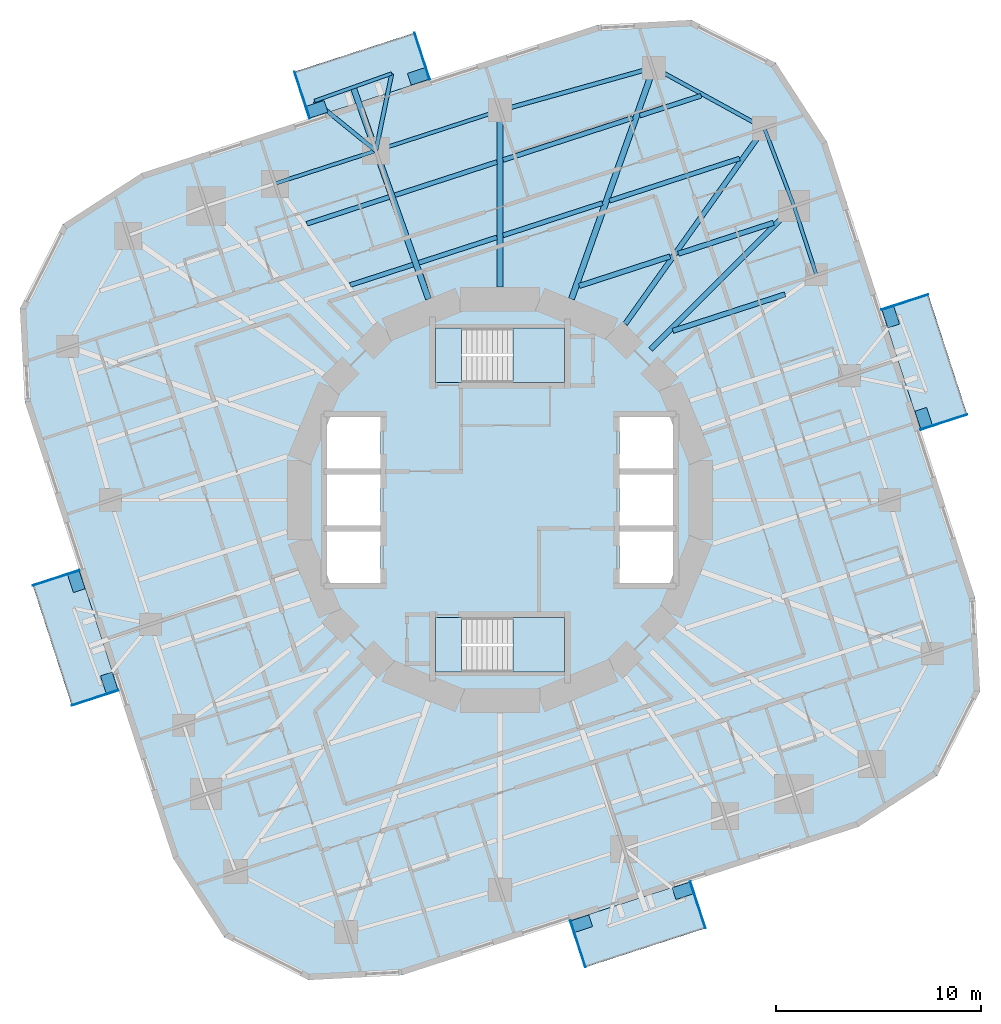
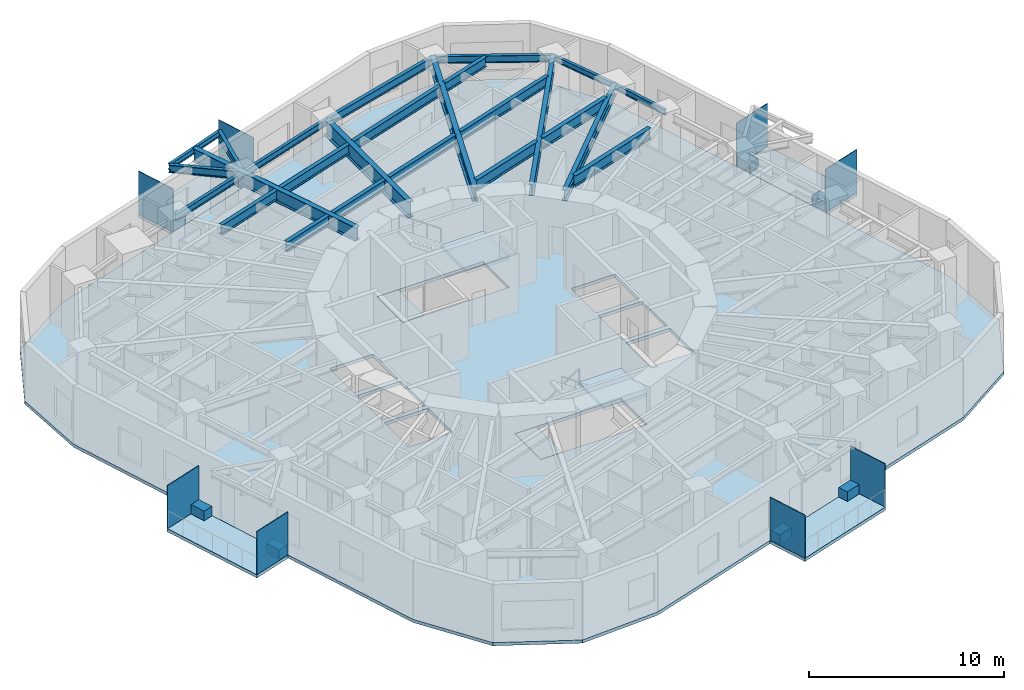
# One storey, part 3 of 12: 25 beams, 16 plates, 9 slabs, 2 elements without a shape of their own.
"""IFC4 building model written with IfcOpenShell, lengths in metres."""

from ifc_helpers import new_model, si_unit, direction, frame, origin, origin_2d, place, context, subcontext, project, spatial, polyline, rectangle, i_section, outline, extrude, material, layer, layer_set, material_profile, profile_set, type_object, element, aggregate, save


model = new_model("IFC4")

# Units and contexts
model_context = context("Model", 3, precision=1e-05, world=origin(), true_north=direction((0.0, 1.0)))
body_context = subcontext(model_context, "Body", "Model", "MODEL_VIEW")
ifc_project = project(units=[si_unit("LENGTHUNIT", "METRE"), si_unit("AREAUNIT", "SQUARE_METRE"), si_unit("VOLUMEUNIT", "CUBIC_METRE"), si_unit("PLANEANGLEUNIT", "RADIAN"), si_unit("MASSUNIT", "GRAM", prefix="KILO")], contexts=[model_context])

# Site, building, storey
site_placement = place(None, origin())
site = spatial("IfcSite", under=ifc_project, at=site_placement, CompositionType="ELEMENT")
building_placement = place(site_placement, origin())
building = spatial("IfcBuilding", under=site, at=building_placement, Name="Nakasero Lantern House", CompositionType="ELEMENT")
storey_placement = place(building_placement, frame((0.0, 0.0, 149.5)))
storey = spatial("IfcBuildingStorey", under=building, at=storey_placement, Name="L36", CompositionType="ELEMENT", Elevation=149.5)

# Beams
ifc_material_1 = material(Name="Steel S355", Category="steel")
ifc_material_profile_1 = material_profile(ifc_material_1, i_section(OverallWidth=0.199462890625, OverallDepth=0.491943359375, WebThickness=0.01806640625, FlangeThickness=0.031982421875, FilletRadius=0.01025390625, at=origin_2d()), Name="UB 457x191x161")
ifc_profile_set_1 = profile_set([ifc_material_profile_1], Name="Steel S355")
beam_type_1 = type_object("IfcBeamType", Name="Balcony splay beam UB 457x191x161", PredefinedType="BEAM", material=ifc_profile_set_1)
for number, where, z_axis, x_axis, name in (
    (1, (-6.06591796875, 17.060546875, 3.404052734375), (-0.774864205236, 0.632127727159, 0.0), (-0.632127727159, -0.774864205236, 0.0), "Balcony splay beam L37 B4-C10A"),
    (2, (-6.06591796875, 17.060546875, 3.404052734375), (0.201831438605, 0.979420272605, 0.0), (-0.979420272605, 0.201831438605, 0.0), "Balcony splay beam L37 B4-C10B"),
):
    element("IfcBeam", number, at=place(storey_placement, frame(where, z_axis=z_axis, x_axis=x_axis)), inside=storey, type_object=beam_type_1, Name=name, PredefinedType="BEAM", context=body_context, shape_type="SweptSolid", body=[
        extrude(i_section(OverallWidth=0.199462890625, OverallDepth=0.491943359375, WebThickness=0.01806640625, FlangeThickness=0.031982421875, FilletRadius=0.01025390625, at=origin_2d()), origin(), (0.0, 0.0, 1.0), 3.858642578125),
    ])
ifc_material_2 = material(Name="Steel S355", Category="steel")
ifc_material_profile_2 = material_profile(ifc_material_2, i_section(OverallWidth=0.17138671875, OverallDepth=0.35498046875, WebThickness=0.00732421875, FlangeThickness=0.011474609375, FilletRadius=0.01025390625, at=origin_2d()), Name="UB 356x171x51")
ifc_profile_set_2 = profile_set([ifc_material_profile_2], Name="Steel S355")
beam_type_2 = type_object("IfcBeamType", Name="Balcony tie beam UB 356x171x51", PredefinedType="BEAM", material=ifc_profile_set_2)
beam_1_placement = place(storey_placement, frame((-9.055908203125, 19.499755859375, 3.472412109375), z_axis=(0.942209124415, 0.335025321236, 0.0), x_axis=(-0.335025321236, 0.942209124415, 0.0)))
element("IfcBeam", 3, at=beam_1_placement, inside=storey, type_object=beam_type_2, Name="Balcony tie beam L37 B4-C10", PredefinedType="BEAM", context=body_context, shape_type="SweptSolid", body=[
    extrude(i_section(OverallWidth=0.17138671875, OverallDepth=0.35498046875, WebThickness=0.00732421875, FlangeThickness=0.011474609375, FilletRadius=0.01025390625, at=origin_2d()), origin(), (0.0, 0.0, 1.0), 4.0),
])
ifc_material_3 = material(Name="Steel S355", Category="steel")
ifc_material_profile_3 = material_profile(ifc_material_3, i_section(OverallWidth=0.22900390625, OverallDepth=0.6123046875, WebThickness=0.011962890625, FlangeThickness=0.01953125, FilletRadius=0.0126953125, at=origin_2d()), Name="UB 610x229x125")
ifc_profile_set_3 = profile_set([ifc_material_profile_3], Name="Steel S355")
beam_type_3 = type_object("IfcBeamType", Name="Infill beam UB 610x229x125", PredefinedType="JOIST", material=ifc_profile_set_3)
beam_2_placement = place(storey_placement, frame((-7.31396484375, 10.50390625, 3.343994140625), z_axis=(0.951054080044, 0.309024492283, 0.0), x_axis=(-0.309024492283, 0.951054080044, 0.0)))
element("IfcBeam", 4, at=beam_2_placement, inside=storey, type_object=beam_type_3, Name="Infill beam L37 11.5", PredefinedType="JOIST", context=body_context, shape_type="SweptSolid", body=[
    extrude(i_section(OverallWidth=0.22900390625, OverallDepth=0.6123046875, WebThickness=0.011962890625, FlangeThickness=0.01953125, FilletRadius=0.0126953125, at=origin_2d()), origin(), (0.0, 0.0, 1.0), 3.227294921875),
])
beam_3_placement = place(storey_placement, frame((-3.96630859375, 11.591796875, 3.343994140625), z_axis=(0.95105910343, 0.309009031878, 0.0), x_axis=(-0.309009031878, 0.95105910343, 0.0)))
element("IfcBeam", 5, at=beam_3_placement, inside=storey, type_object=beam_type_3, Name="Infill beam L37 11.6", PredefinedType="JOIST", context=body_context, shape_type="SweptSolid", body=[
    extrude(i_section(OverallWidth=0.22900390625, OverallDepth=0.6123046875, WebThickness=0.011962890625, FlangeThickness=0.01953125, FilletRadius=0.0126953125, at=origin_2d()), origin(), (0.0, 0.0, 1.0), 4.0126953125),
])
beam_4_placement = place(storey_placement, frame((0.14990234375, 12.92919921875, 3.343994140625), z_axis=(0.951057977144, 0.309012498309, 0.0), x_axis=(-0.309012498309, 0.951057977144, 0.0)))
element("IfcBeam", 6, at=beam_4_placement, inside=storey, type_object=beam_type_3, Name="Infill beam L37 11.7", PredefinedType="JOIST", context=body_context, shape_type="SweptSolid", body=[
    extrude(i_section(OverallWidth=0.22900390625, OverallDepth=0.6123046875, WebThickness=0.011962890625, FlangeThickness=0.01953125, FilletRadius=0.0126953125, at=origin_2d()), origin(), (0.0, 0.0, 1.0), 5.102294921875),
])
beam_5_placement = place(storey_placement, frame((5.353271484375, 14.619873046875, 3.343994140625), z_axis=(0.951056080098, 0.30901833685, 0.0), x_axis=(-0.30901833685, 0.951056080098, 0.0)))
element("IfcBeam", 7, at=beam_5_placement, inside=storey, type_object=beam_type_3, Name="Infill beam L37 11.8", PredefinedType="JOIST", context=body_context, shape_type="SweptSolid", body=[
    extrude(i_section(OverallWidth=0.22900390625, OverallDepth=0.6123046875, WebThickness=0.011962890625, FlangeThickness=0.01953125, FilletRadius=0.0126953125, at=origin_2d()), origin(), (0.0, 0.0, 1.0), 6.68310546875),
])
beam_6_placement = place(storey_placement, frame((-9.439697265625, 13.493408203125, 3.343994140625), z_axis=(0.951057398427, 0.30901427944, 0.0), x_axis=(-0.30901427944, 0.951057398427, 0.0)))
element("IfcBeam", 8, at=beam_6_placement, inside=storey, type_object=beam_type_3, Name="Infill beam L37 12.4", PredefinedType="JOIST", context=body_context, shape_type="SweptSolid", body=[
    extrude(i_section(OverallWidth=0.22900390625, OverallDepth=0.6123046875, WebThickness=0.011962890625, FlangeThickness=0.01953125, FilletRadius=0.0126953125, at=origin_2d()), origin(), (0.0, 0.0, 1.0), 4.229248046875),
])
beam_7_placement = place(storey_placement, frame((-5.139404296875, 14.890625, 3.343994140625), z_axis=(0.951061765699, 0.309000837904, 0.0), x_axis=(-0.309000837904, 0.951061765699, 0.0)))
element("IfcBeam", 9, at=beam_7_placement, inside=storey, type_object=beam_type_3, Name="Infill beam L37 12.5", PredefinedType="JOIST", context=body_context, shape_type="SweptSolid", body=[
    extrude(i_section(OverallWidth=0.22900390625, OverallDepth=0.6123046875, WebThickness=0.011962890625, FlangeThickness=0.01953125, FilletRadius=0.0126953125, at=origin_2d()), origin(), (0.0, 0.0, 1.0), 5.246337890625),
])
beam_8_placement = place(storey_placement, frame((0.14990234375, 16.609375, 3.343994140625), z_axis=(0.951068556075, 0.308979937287, 0.0), x_axis=(-0.308979937287, 0.951068556075, 0.0)))
element("IfcBeam", 10, at=beam_8_placement, inside=storey, type_object=beam_type_3, Name="Infill beam L37 12.6", PredefinedType="JOIST", context=body_context, shape_type="SweptSolid", body=[
    extrude(i_section(OverallWidth=0.22900390625, OverallDepth=0.6123046875, WebThickness=0.011962890625, FlangeThickness=0.01953125, FilletRadius=0.0126953125, at=origin_2d()), origin(), (0.0, 0.0, 1.0), 6.65771484375),
])
beam_9_placement = place(storey_placement, frame((6.832763671875, 18.780517578125, 3.343994140625), z_axis=(0.951054602662, 0.309022883872, 0.0), x_axis=(-0.309022883872, 0.951054602662, 0.0)))
element("IfcBeam", 11, at=beam_9_placement, inside=storey, type_object=beam_type_3, Name="Infill beam L37 12.7", PredefinedType="JOIST", context=body_context, shape_type="SweptSolid", body=[
    extrude(i_section(OverallWidth=0.22900390625, OverallDepth=0.6123046875, WebThickness=0.011962890625, FlangeThickness=0.01953125, FilletRadius=0.0126953125, at=origin_2d()), origin(), (0.0, 0.0, 1.0), 3.145263671875),
])
ifc_material_4 = material(Name="Steel S355", Category="steel")
ifc_material_profile_4 = material_profile(ifc_material_4, i_section(OverallWidth=0.253662109375, OverallDepth=0.68359375, WebThickness=0.012451171875, FlangeThickness=0.01904296875, FilletRadius=0.01513671875, at=origin_2d()), Name="UB 686x254x140")
ifc_profile_set_4 = profile_set([ifc_material_profile_4], Name="Steel S355")
beam_type_4 = type_object("IfcBeamType", Name="Infill beam UB 686x254x140", PredefinedType="JOIST", material=ifc_profile_set_4)
beam_10_placement = place(storey_placement, frame((8.44287109375, 8.263427734375, 3.308349609375), z_axis=(0.951055211673, 0.309021009559, 0.0), x_axis=(-0.309021009559, 0.951055211673, 0.0)))
element("IfcBeam", 12, at=beam_10_placement, inside=storey, type_object=beam_type_4, Name="Infill beam L37 09.2", PredefinedType="JOIST", context=body_context, shape_type="SweptSolid", body=[
    extrude(i_section(OverallWidth=0.253662109375, OverallDepth=0.68359375, WebThickness=0.012451171875, FlangeThickness=0.01904296875, FilletRadius=0.01513671875, at=origin_2d()), origin(), (0.0, 0.0, 1.0), 5.769775390625),
])
beam_11_placement = place(storey_placement, frame((3.8740234375, 10.458984375, 3.308349609375), z_axis=(0.95106063111, 0.309004329989, 0.0), x_axis=(-0.309004329989, 0.95106063111, 0.0)))
element("IfcBeam", 13, at=beam_11_placement, inside=storey, type_object=beam_type_4, Name="Infill beam L37 10.3", PredefinedType="JOIST", context=body_context, shape_type="SweptSolid", body=[
    extrude(i_section(OverallWidth=0.253662109375, OverallDepth=0.68359375, WebThickness=0.012451171875, FlangeThickness=0.01904296875, FilletRadius=0.01513671875, at=origin_2d()), origin(), (0.0, 0.0, 1.0), 4.659912109375),
])
beam_12_placement = place(storey_placement, frame((8.710693359375, 12.030517578125, 3.308349609375), z_axis=(0.951061574069, 0.309001427713, 0.0), x_axis=(-0.309001427713, 0.951061574069, 0.0)))
element("IfcBeam", 14, at=beam_12_placement, inside=storey, type_object=beam_type_4, Name="Infill beam L37 10.4", PredefinedType="JOIST", context=body_context, shape_type="SweptSolid", body=[
    extrude(i_section(OverallWidth=0.253662109375, OverallDepth=0.68359375, WebThickness=0.012451171875, FlangeThickness=0.01904296875, FilletRadius=0.01513671875, at=origin_2d()), origin(), (0.0, 0.0, 1.0), 4.8916015625),
])
ifc_material_5 = material(Name="Steel S355", Category="steel")
ifc_material_profile_5 = material_profile(ifc_material_5, i_section(OverallWidth=0.300048828125, OverallDepth=0.989990234375, WebThickness=0.0166015625, FlangeThickness=0.031005859375, FilletRadius=0.030029296875, at=origin_2d()), Name="UB 1016x305x272")
ifc_profile_set_5 = profile_set([ifc_material_profile_5], Name="Steel S355")
beam_type_5 = type_object("IfcBeamType", Name="Primary beam UB 1016x305x272, span 6 to 9 m", PredefinedType="BEAM", material=ifc_profile_set_5)
beam_13_placement = place(storey_placement, frame((0.0, 19.031494140625, 3.155029296875), z_axis=(0.0, -1.0, 0.0), x_axis=(1.0, 0.0, 0.0)))
element("IfcBeam", 15, at=beam_13_placement, inside=storey, type_object=beam_type_5, Name="Primary beam L37 B4-C09", PredefinedType="BEAM", context=body_context, shape_type="SweptSolid", body=[
    extrude(i_section(OverallWidth=0.300048828125, OverallDepth=0.989990234375, WebThickness=0.0166015625, FlangeThickness=0.031005859375, FilletRadius=0.030029296875, at=origin_2d()), origin(), (0.0, 0.0, 1.0), 8.62353515625),
])
ifc_material_6 = material(Name="Steel S355", Category="steel")
ifc_material_profile_6 = material_profile(ifc_material_6, i_section(OverallWidth=0.253662109375, OverallDepth=0.68359375, WebThickness=0.012451171875, FlangeThickness=0.01904296875, FilletRadius=0.01513671875, at=origin_2d()), Name="UB 686x254x140")
ifc_profile_set_6 = profile_set([ifc_material_profile_6], Name="Steel S355")
beam_type_6 = type_object("IfcBeamType", Name="Primary beam UB 686x254x140, span 9 to 12 m", PredefinedType="BEAM", material=ifc_profile_set_6)
beam_14_placement = place(storey_placement, frame((14.3642578125, 14.3642578125, 3.308349609375), z_axis=(-0.707106781187, -0.707106781187, 0.0), x_axis=(0.707106781187, -0.707106781187, 0.0)))
element("IfcBeam", 16, at=beam_14_placement, inside=storey, type_object=beam_type_6, Name="Primary beam L37 B4-C06", PredefinedType="BEAM", context=body_context, shape_type="SweptSolid", body=[
    extrude(i_section(OverallWidth=0.253662109375, OverallDepth=0.68359375, WebThickness=0.012451171875, FlangeThickness=0.01904296875, FilletRadius=0.01513671875, at=origin_2d()), origin(), (0.0, 0.0, 1.0), 9.906494140625),
])
beam_15_placement = place(storey_placement, frame((12.916015625, 18.1630859375, 3.308349609375), z_axis=(-0.579530236062, -0.814950738075, 0.0), x_axis=(0.814950738075, -0.579530236062, 0.0)))
element("IfcBeam", 17, at=beam_15_placement, inside=storey, type_object=beam_type_6, Name="Primary beam L37 B4-C07", PredefinedType="BEAM", context=body_context, shape_type="SweptSolid", body=[
    extrude(i_section(OverallWidth=0.253662109375, OverallDepth=0.68359375, WebThickness=0.012451171875, FlangeThickness=0.01904296875, FilletRadius=0.01513671875, at=origin_2d()), origin(), (0.0, 0.0, 1.0), 11.73193359375),
])
ifc_material_7 = material(Name="Steel S355", Category="steel")
ifc_material_profile_7 = material_profile(ifc_material_7, i_section(OverallWidth=0.29248046875, OverallDepth=0.8408203125, WebThickness=0.0146484375, FlangeThickness=0.02685546875, FilletRadius=0.017822265625, at=origin_2d()), Name="UB 838x292x194")
ifc_profile_set_7 = profile_set([ifc_material_profile_7], Name="Steel S355")
beam_type_7 = type_object("IfcBeamType", Name="Primary beam UB 838x292x194, span 12 to 15 m", PredefinedType="BEAM", material=ifc_profile_set_7)
beam_16_placement = place(storey_placement, frame((7.5126953125, 21.129638671875, 3.229736328125), z_axis=(-0.335012877559, -0.942213548974, 0.0), x_axis=(0.942213548974, -0.335012877559, 0.0)))
element("IfcBeam", 18, at=beam_16_placement, inside=storey, type_object=beam_type_7, Name="Primary beam L37 B4-C08", PredefinedType="BEAM", context=body_context, shape_type="SweptSolid", body=[
    extrude(i_section(OverallWidth=0.29248046875, OverallDepth=0.8408203125, WebThickness=0.0146484375, FlangeThickness=0.02685546875, FilletRadius=0.017822265625, at=origin_2d()), origin(), (0.0, 0.0, 1.0), 12.00390625),
])
ifc_material_8 = material(Name="Steel S355", Category="steel")
ifc_material_profile_8 = material_profile(ifc_material_8, i_section(OverallWidth=0.29248046875, OverallDepth=0.8408203125, WebThickness=0.0146484375, FlangeThickness=0.02685546875, FilletRadius=0.017822265625, at=origin_2d()), Name="UB 838x292x194")
ifc_profile_set_8 = profile_set([ifc_material_profile_8], Name="Steel S355")
beam_type_8 = type_object("IfcBeamType", Name="Primary beam UB 838x292x194, span 6 to 9 m", PredefinedType="BEAM", material=ifc_profile_set_8)
beam_17_placement = place(storey_placement, frame((-7.17138671875, 20.169921875, 3.229736328125), z_axis=(0.335007036998, -0.942215625619, 0.0), x_axis=(0.942215625619, 0.335007036998, 0.0)))
element("IfcBeam", 19, at=beam_17_placement, inside=storey, type_object=beam_type_8, Name="Primary beam L37 B4-C10", PredefinedType="BEAM", context=body_context, shape_type="SweptSolid", body=[
    extrude(i_section(OverallWidth=0.29248046875, OverallDepth=0.8408203125, WebThickness=0.0146484375, FlangeThickness=0.02685546875, FilletRadius=0.017822265625, at=origin_2d()), origin(), (0.0, 0.0, 1.0), 10.9853515625),
])
ifc_material_9 = material(Name="Steel S355", Category="steel")
ifc_material_profile_9 = material_profile(ifc_material_9, i_section(OverallWidth=0.17138671875, OverallDepth=0.35498046875, WebThickness=0.00732421875, FlangeThickness=0.011474609375, FilletRadius=0.01025390625, at=origin_2d()), Name="UB 356x171x51")
ifc_profile_set_9 = profile_set([ifc_material_profile_9], Name="Steel S355")
beam_type_9 = type_object("IfcBeamType", Name="Ring beam UB 356x171x51", PredefinedType="BEAM", material=ifc_profile_set_9)
beam_18_placement = place(storey_placement, frame((15.45947265625, 10.993408203125, 3.472412109375), z_axis=(-0.309006636447, 0.951059881727, 0.0), x_axis=(-0.951059881727, -0.309006636447, 0.0)))
element("IfcBeam", 20, at=beam_18_placement, inside=storey, type_object=beam_type_9, Name="Ring beam L37 B4-C05", PredefinedType="BEAM", context=body_context, shape_type="SweptSolid", body=[
    extrude(i_section(OverallWidth=0.17138671875, OverallDepth=0.35498046875, WebThickness=0.00732421875, FlangeThickness=0.011474609375, FilletRadius=0.01025390625, at=origin_2d()), origin(), (0.0, 0.0, 1.0), 3.544189453125),
])
beam_19_placement = place(storey_placement, frame((14.3642578125, 14.3642578125, 3.472412109375), z_axis=(-0.35622505813, 0.934400186194, 0.0), x_axis=(-0.934400186194, -0.35622505813, 0.0)))
element("IfcBeam", 21, at=beam_19_placement, inside=storey, type_object=beam_type_9, Name="Ring beam L37 B4-C06", PredefinedType="BEAM", context=body_context, shape_type="SweptSolid", body=[
    extrude(i_section(OverallWidth=0.17138671875, OverallDepth=0.35498046875, WebThickness=0.00732421875, FlangeThickness=0.011474609375, FilletRadius=0.01025390625, at=origin_2d()), origin(), (0.0, 0.0, 1.0), 4.0654296875),
])
ifc_material_10 = material(Name="Steel S355", Category="steel")
ifc_material_profile_10 = material_profile(ifc_material_10, i_section(OverallWidth=0.177978515625, OverallDepth=0.406494140625, WebThickness=0.0078125, FlangeThickness=0.0126953125, FilletRadius=0.01025390625, at=origin_2d()), Name="UB 406x178x60")
ifc_profile_set_10 = profile_set([ifc_material_profile_10], Name="Steel S355")
beam_type_10 = type_object("IfcBeamType", Name="Ring beam UB 406x178x60", PredefinedType="BEAM", material=ifc_profile_set_10)
beam_20_placement = place(storey_placement, frame((-6.06591796875, 17.060546875, 3.44677734375), z_axis=(-0.95105449754, -0.309023207396, 0.0), x_axis=(0.309023207396, -0.95105449754, 0.0)))
element("IfcBeam", 22, at=beam_20_placement, inside=storey, type_object=beam_type_10, Name="Ring beam L37 B4-C10", PredefinedType="BEAM", context=body_context, shape_type="SweptSolid", body=[
    extrude(i_section(OverallWidth=0.177978515625, OverallDepth=0.406494140625, WebThickness=0.0078125, FlangeThickness=0.0126953125, FilletRadius=0.01025390625, at=origin_2d()), origin(), (0.0, 0.0, 1.0), 5.18115234375),
])
ifc_material_11 = material(Name="Steel S355", Category="steel")
ifc_material_profile_11 = material_profile(ifc_material_11, i_section(OverallWidth=0.179443359375, OverallDepth=0.412841796875, WebThickness=0.009521484375, FlangeThickness=0.01611328125, FilletRadius=0.01025390625, at=origin_2d()), Name="UB 406x178x74")
ifc_profile_set_11 = profile_set([ifc_material_profile_11], Name="Steel S355")
beam_type_11 = type_object("IfcBeamType", Name="Ring beam UB 406x178x74", PredefinedType="BEAM", material=ifc_profile_set_11)
beam_21_placement = place(storey_placement, frame((0.0, 19.031494140625, 3.443603515625), z_axis=(-0.951056007502, -0.309018560274, 0.0), x_axis=(0.309018560274, -0.951056007502, 0.0)))
element("IfcBeam", 23, at=beam_21_placement, inside=storey, type_object=beam_type_11, Name="Ring beam L37 B4-C09", PredefinedType="BEAM", context=body_context, shape_type="SweptSolid", body=[
    extrude(i_section(OverallWidth=0.179443359375, OverallDepth=0.412841796875, WebThickness=0.009521484375, FlangeThickness=0.01611328125, FilletRadius=0.01025390625, at=origin_2d()), origin(), (0.0, 0.0, 1.0), 6.378173828125),
])
ifc_material_12 = material(Name="Steel S355", Category="steel")
ifc_material_profile_12 = material_profile(ifc_material_12, i_section(OverallWidth=0.18994140625, OverallDepth=0.453369140625, WebThickness=0.008544921875, FlangeThickness=0.0126953125, FilletRadius=0.01025390625, at=origin_2d()), Name="UB 457x191x67")
ifc_profile_set_12 = profile_set([ifc_material_profile_12], Name="Steel S355")
beam_type_12 = type_object("IfcBeamType", Name="Ring beam UB 457x191x67", PredefinedType="BEAM", material=ifc_profile_set_12)
beam_22_placement = place(storey_placement, frame((12.916015625, 18.1630859375, 3.42333984375), z_axis=(-0.876576912681, 0.481261795861, 0.0), x_axis=(-0.481261795861, -0.876576912681, 0.0)))
element("IfcBeam", 24, at=beam_22_placement, inside=storey, type_object=beam_type_12, Name="Ring beam L37 B4-C07", PredefinedType="BEAM", context=body_context, shape_type="SweptSolid", body=[
    extrude(i_section(OverallWidth=0.18994140625, OverallDepth=0.453369140625, WebThickness=0.008544921875, FlangeThickness=0.0126953125, FilletRadius=0.01025390625, at=origin_2d()), origin(), (0.0, 0.0, 1.0), 6.1640625),
])
ifc_material_13 = material(Name="Steel S355", Category="steel")
ifc_material_profile_13 = material_profile(ifc_material_13, i_section(OverallWidth=0.208740234375, OverallDepth=0.5283203125, WebThickness=0.009521484375, FlangeThickness=0.01318359375, FilletRadius=0.0126953125, at=origin_2d()), Name="UB 533x210x82")
ifc_profile_set_13 = profile_set([ifc_material_profile_13], Name="Steel S355")
beam_type_13 = type_object("IfcBeamType", Name="Ring beam UB 533x210x82", PredefinedType="BEAM", material=ifc_profile_set_13)
beam_23_placement = place(storey_placement, frame((7.5126953125, 21.129638671875, 3.3857421875), z_axis=(-0.963143892339, -0.268986696047, 0.0), x_axis=(0.268986696047, -0.963143892339, 0.0)))
element("IfcBeam", 25, at=beam_23_placement, inside=storey, type_object=beam_type_13, Name="Ring beam L37 B4-C08", PredefinedType="BEAM", context=body_context, shape_type="SweptSolid", body=[
    extrude(i_section(OverallWidth=0.208740234375, OverallDepth=0.5283203125, WebThickness=0.009521484375, FlangeThickness=0.01318359375, FilletRadius=0.0126953125, at=origin_2d()), origin(), (0.0, 0.0, 1.0), 7.80029296875),
])

# Plates
ifc_material_14 = material(Name="Aluminium 6063-T6", Category="aluminium")
ifc_layer_1 = layer(ifc_material_14, 0.60009765625)
ifc_layer_set_1 = layer_set([ifc_layer_1], Name="Balcony planter 600x900")
plate_type_1 = type_object("IfcPlateType", Name="Balcony planter 600x900", PredefinedType="USERDEFINED", material=ifc_layer_set_1)
for number, where, z_axis, x_axis, name in (
    (26, (20.696533203125, 4.00146484375, 0.0), (0.0, 0.0, 1.0), (0.951056516295, 0.309016994375, 0.0), "Balcony PLANTER L36 BAL0A"),
    (27, (19.095703125, 8.927978515625, 0.0), (0.0, 0.0, 1.0), (0.951056516295, 0.309016994375, 0.0), "Balcony PLANTER L36 BAL0B"),
    (28, (-4.00146484375, 20.696533203125, 0.0), (0.0, 0.0, 1.0), (-0.309016994375, 0.951056516295, 0.0), "Balcony PLANTER L36 BAL1A"),
    (29, (-8.927978515625, 19.095703125, 0.0), (0.0, 0.0, 1.0), (-0.309016994375, 0.951056516295, 0.0), "Balcony PLANTER L36 BAL1B"),
    (30, (-20.696533203125, -4.00146484375, 0.0), (0.0, 0.0, 1.0), (-0.951056516295, -0.309016994375, 0.0), "Balcony PLANTER L36 BAL2A"),
    (31, (-19.095703125, -8.927978515625, 0.0), (0.0, 0.0, 1.0), (-0.951056516295, -0.309016994375, 0.0), "Balcony PLANTER L36 BAL2B"),
    (32, (4.00146484375, -20.696533203125, 0.0), (0.0, 0.0, 1.0), (0.309016994375, -0.951056516295, 0.0), "Balcony PLANTER L36 BAL3A"),
    (33, (8.927978515625, -19.095703125, 0.0), (0.0, 0.0, 1.0), (0.309016994375, -0.951056516295, 0.0), "Balcony PLANTER L36 BAL3B"),
):
    element("IfcPlate", number, at=place(storey_placement, frame(where, z_axis=z_axis, x_axis=x_axis)), inside=storey, type_object=plate_type_1, Name=name, ObjectType="PLANTER", PredefinedType="USERDEFINED", context=body_context, shape_type="SweptSolid", body=[
        extrude(rectangle(XDim=0.60009765625, YDim=0.89990234375, at=origin_2d()), origin(), (0.0, 0.0, 1.0), 0.60009765625),
    ])
ifc_material_15 = material(Name="Aluminium 6063-T6", Category="aluminium")
ifc_layer_2 = layer(ifc_material_15, 0.0400390625)
ifc_layer_set_2 = layer_set([ifc_layer_2], Name="Balcony screen 2400x2700")
plate_type_2 = type_object("IfcPlateType", Name="Balcony screen 2400x2700", PredefinedType="SHEET", material=ifc_layer_set_2)
for number, where, z_axis, x_axis, name in (
    (34, (21.684814453125, 3.807373046875, 0.0), (0.0, 0.0, 1.0), (0.951056516295, 0.309016994375, 0.0), "Balcony SCREEN L36 BAL0A"),
    (35, (19.78125, 9.665771484375, 0.0), (0.0, 0.0, 1.0), (0.951056516295, 0.309016994375, 0.0), "Balcony SCREEN L36 BAL0B"),
    (36, (-3.807373046875, 21.684814453125, 0.0), (0.0, 0.0, 1.0), (-0.309016994375, 0.951056516295, 0.0), "Balcony SCREEN L36 BAL1A"),
    (37, (-9.665771484375, 19.78125, 0.0), (0.0, 0.0, 1.0), (-0.309016994375, 0.951056516295, 0.0), "Balcony SCREEN L36 BAL1B"),
    (38, (-21.684814453125, -3.807373046875, 0.0), (0.0, 0.0, 1.0), (-0.951056516295, -0.309016994375, 0.0), "Balcony SCREEN L36 BAL2A"),
    (39, (-19.78125, -9.665771484375, 0.0), (0.0, 0.0, 1.0), (-0.951056516295, -0.309016994375, 0.0), "Balcony SCREEN L36 BAL2B"),
    (40, (3.807373046875, -21.684814453125, 0.0), (0.0, 0.0, 1.0), (0.309016994375, -0.951056516295, 0.0), "Balcony SCREEN L36 BAL3A"),
    (41, (9.665771484375, -19.78125, 0.0), (0.0, 0.0, 1.0), (0.309016994375, -0.951056516295, 0.0), "Balcony SCREEN L36 BAL3B"),
):
    element("IfcPlate", number, at=place(storey_placement, frame(where, z_axis=z_axis, x_axis=x_axis)), inside=storey, type_object=plate_type_2, Name=name, PredefinedType="SHEET", context=body_context, shape_type="SweptSolid", body=[
        extrude(rectangle(XDim=2.39990234375, YDim=0.0400390625, at=origin_2d()), origin(), (0.0, 0.0, 1.0), 2.699951171875),
    ])

# Slabs
ifc_material_16 = material(Name="Concrete C35/45", Category="concrete")
ifc_layer_3 = layer(ifc_material_16, 0.199951171875)
ifc_layer_set_3 = layer_set([ifc_layer_3], Name="Balcony slab 200")
slab_type_1 = type_object("IfcSlabType", Name="Balcony slab 200", PredefinedType="USERDEFINED", material=ifc_layer_set_3)
slab_1_placement = place(storey_placement, frame((0.0, 0.0, -0.199951171875)))
element("IfcSlab", 42, at=slab_1_placement, inside=storey, type_object=slab_type_1, Name="Balcony L36 BAL0", ObjectType="BALCONY", PredefinedType="USERDEFINED", context=body_context, shape_type="SweptSolid", body=[
    extrude(outline(polyline([(20.5498046875, 3.41748046875), (22.832275390625, 4.1591796875), (20.916259765625, 10.0556640625), (18.6337890625, 9.31396484375), (20.5498046875, 3.41748046875)])), origin(), (0.0, 0.0, 1.0), 0.199951171875),
])
slab_2_placement = place(storey_placement, frame((0.0, 0.0, -0.199951171875)))
element("IfcSlab", 43, at=slab_2_placement, inside=storey, type_object=slab_type_1, Name="Balcony L36 BAL1", ObjectType="BALCONY", PredefinedType="USERDEFINED", context=body_context, shape_type="SweptSolid", body=[
    extrude(outline(polyline([(-3.41748046875, 20.5498046875), (-4.1591796875, 22.832275390625), (-10.0556640625, 20.916259765625), (-9.31396484375, 18.6337890625), (-3.41748046875, 20.5498046875)])), origin(), (0.0, 0.0, 1.0), 0.199951171875),
])
slab_3_placement = place(storey_placement, frame((0.0, 0.0, -0.199951171875)))
element("IfcSlab", 44, at=slab_3_placement, inside=storey, type_object=slab_type_1, Name="Balcony L36 BAL2", ObjectType="BALCONY", PredefinedType="USERDEFINED", context=body_context, shape_type="SweptSolid", body=[
    extrude(outline(polyline([(-20.5498046875, -3.41748046875), (-22.832275390625, -4.1591796875), (-20.916259765625, -10.0556640625), (-18.6337890625, -9.31396484375), (-20.5498046875, -3.41748046875)])), origin(), (0.0, 0.0, 1.0), 0.199951171875),
])
slab_4_placement = place(storey_placement, frame((0.0, 0.0, -0.199951171875)))
element("IfcSlab", 45, at=slab_4_placement, inside=storey, type_object=slab_type_1, Name="Balcony L36 BAL3", ObjectType="BALCONY", PredefinedType="USERDEFINED", context=body_context, shape_type="SweptSolid", body=[
    extrude(outline(polyline([(3.41748046875, -20.5498046875), (4.1591796875, -22.832275390625), (10.0556640625, -20.916259765625), (9.31396484375, -18.6337890625), (3.41748046875, -20.5498046875)])), origin(), (0.0, 0.0, 1.0), 0.199951171875),
])
ifc_material_17 = material(Name="Concrete C35/45", Category="concrete")
ifc_layer_4 = layer(ifc_material_17, 0.199951171875)
ifc_layer_set_4 = layer_set([ifc_layer_4], Name="Composite floor slab 200")
slab_type_2 = type_object("IfcSlabType", Name="Composite floor slab 200", PredefinedType="FLOOR", material=ifc_layer_set_4)
slab_5_placement = place(storey_placement, frame((0.0, 0.0, -0.199951171875)))
element("IfcSlab", 46, at=slab_5_placement, inside=storey, type_object=slab_type_2, Name="Floor slab L36", PredefinedType="FLOOR", context=body_context, shape_type="SweptSolid", body=[
    extrude(outline(polyline([(15.976318359375, 17.4931640625), (13.467041015625, 21.35693359375), (9.3623046875, 23.448486328125), (4.76171875, 23.207275390625), (-17.4931640625, 15.976318359375), (-21.35693359375, 13.467041015625), (-23.448486328125, 9.3623046875), (-23.207275390625, 4.76171875), (-15.976318359375, -17.4931640625), (-13.467041015625, -21.35693359375), (-9.3623046875, -23.448486328125), (-4.76171875, -23.207275390625), (17.4931640625, -15.976318359375), (21.35693359375, -13.467041015625), (23.448486328125, -9.3623046875), (23.207275390625, -4.76171875), (15.976318359375, 17.4931640625)]), holes=[polyline([(-8.449951171875, -4.050048828125), (-5.85009765625, -4.050048828125), (-5.85009765625, -1.550048828125), (-8.449951171875, -1.550048828125), (-8.449951171875, -4.050048828125)]), polyline([(-8.449951171875, -1.25), (-5.85009765625, -1.25), (-5.85009765625, 1.25), (-8.449951171875, 1.25), (-8.449951171875, -1.25)]), polyline([(-8.449951171875, 1.550048828125), (-5.85009765625, 1.550048828125), (-5.85009765625, 4.050048828125), (-8.449951171875, 4.050048828125), (-8.449951171875, 1.550048828125)]), polyline([(5.85009765625, -4.050048828125), (8.449951171875, -4.050048828125), (8.449951171875, -1.550048828125), (5.85009765625, -1.550048828125), (5.85009765625, -4.050048828125)]), polyline([(5.85009765625, -1.25), (8.449951171875, -1.25), (8.449951171875, 1.25), (5.85009765625, 1.25), (5.85009765625, -1.25)]), polyline([(5.85009765625, 1.550048828125), (8.449951171875, 1.550048828125), (8.449951171875, 4.050048828125), (5.85009765625, 4.050048828125), (5.85009765625, 1.550048828125)]), polyline([(-3.14990234375, 5.75), (3.14990234375, 5.75), (3.14990234375, 8.39990234375), (-3.14990234375, 8.39990234375), (-3.14990234375, 5.75)]), polyline([(-3.14990234375, -8.39990234375), (3.14990234375, -8.39990234375), (3.14990234375, -5.75), (-3.14990234375, -5.75), (-3.14990234375, -8.39990234375)])]), origin(), (0.0, 0.0, 1.0), 0.199951171875),
])

# Stair, slabs
ifc_material_18 = material(Name="Concrete C40/50", Category="concrete")
stair_type_1 = type_object("IfcStairType", Name="Escape stair ST1 22 risers", PredefinedType="HALF_TURN_STAIR", material=ifc_material_18)
stair_1_placement = place(storey_placement, origin())
stair_1 = element("IfcStair", 47, at=stair_1_placement, inside=storey, type_object=stair_type_1, Name="Escape stair ST1 L36", PredefinedType="HALF_TURN_STAIR")
ifc_material_19 = material(Name="Concrete C40/50", Category="concrete")
ifc_layer_5 = layer(ifc_material_19, 0.199951171875)
ifc_layer_set_5 = layer_set([ifc_layer_5], Name="Stair landing 200")
slab_type_3 = type_object("IfcSlabType", Name="Stair landing 200", PredefinedType="LANDING", material=ifc_layer_set_5)
slab_6_placement = place(storey_placement, frame((0.0, 0.0, -0.199951171875)))
slab_6 = element("IfcSlab", 48, at=slab_6_placement, type_object=slab_type_3, Name="ST1 landing 1", PredefinedType="LANDING", context=body_context, shape_type="SweptSolid", body=[
    extrude(outline(polyline([(-3.14990234375, 5.75), (-1.875, 5.75), (-1.875, 8.39990234375), (-3.14990234375, 8.39990234375), (-3.14990234375, 5.75)])), origin(), (0.0, 0.0, 1.0), 0.199951171875),
])
slab_7_placement = place(storey_placement, frame((0.0, 0.0, 1.72509765625)))
slab_7 = element("IfcSlab", 49, at=slab_7_placement, type_object=slab_type_3, Name="ST1 landing 2", PredefinedType="LANDING", context=body_context, shape_type="SweptSolid", body=[
    extrude(outline(polyline([(0.625, 5.75), (3.14990234375, 5.75), (3.14990234375, 8.39990234375), (0.625, 8.39990234375), (0.625, 5.75)])), origin(), (0.0, 0.0, 1.0), 0.199951171875),
])
aggregate(stair_1, [slab_6, slab_7])

ifc_material_20 = material(Name="Concrete C40/50", Category="concrete")
stair_type_2 = type_object("IfcStairType", Name="Escape stair ST2 22 risers", PredefinedType="HALF_TURN_STAIR", material=ifc_material_20)
stair_2_placement = place(storey_placement, origin())
stair_2 = element("IfcStair", 50, at=stair_2_placement, inside=storey, type_object=stair_type_2, Name="Escape stair ST2 L36", PredefinedType="HALF_TURN_STAIR")
slab_8_placement = place(storey_placement, frame((0.0, 0.0, -0.199951171875)))
slab_8 = element("IfcSlab", 51, at=slab_8_placement, type_object=slab_type_3, Name="ST2 landing 1", PredefinedType="LANDING", context=body_context, shape_type="SweptSolid", body=[
    extrude(outline(polyline([(-3.14990234375, -8.39990234375), (-1.875, -8.39990234375), (-1.875, -5.75), (-3.14990234375, -5.75), (-3.14990234375, -8.39990234375)])), origin(), (0.0, 0.0, 1.0), 0.199951171875),
])
slab_9_placement = place(storey_placement, frame((0.0, 0.0, 1.72509765625)))
slab_9 = element("IfcSlab", 52, at=slab_9_placement, type_object=slab_type_3, Name="ST2 landing 2", PredefinedType="LANDING", context=body_context, shape_type="SweptSolid", body=[
    extrude(outline(polyline([(0.625, -8.39990234375), (3.14990234375, -8.39990234375), (3.14990234375, -5.75), (0.625, -5.75), (0.625, -8.39990234375)])), origin(), (0.0, 0.0, 1.0), 0.199951171875),
])
aggregate(stair_2, [slab_8, slab_9])

save(model, "model.ifc")
